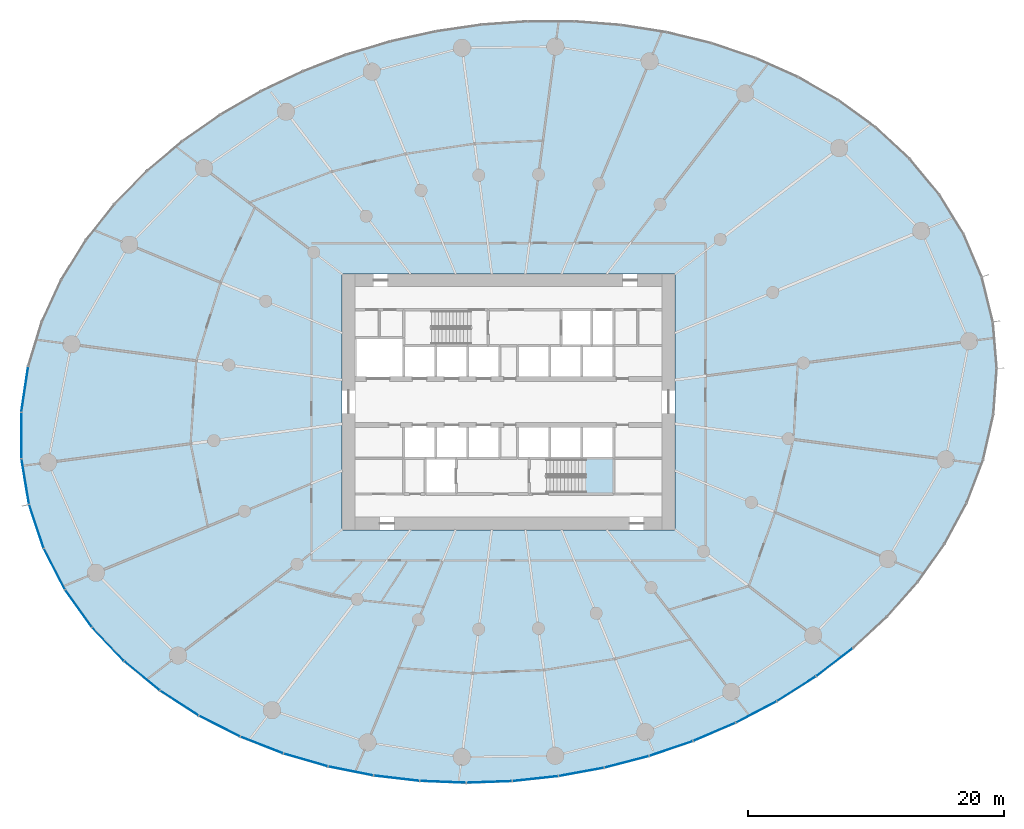
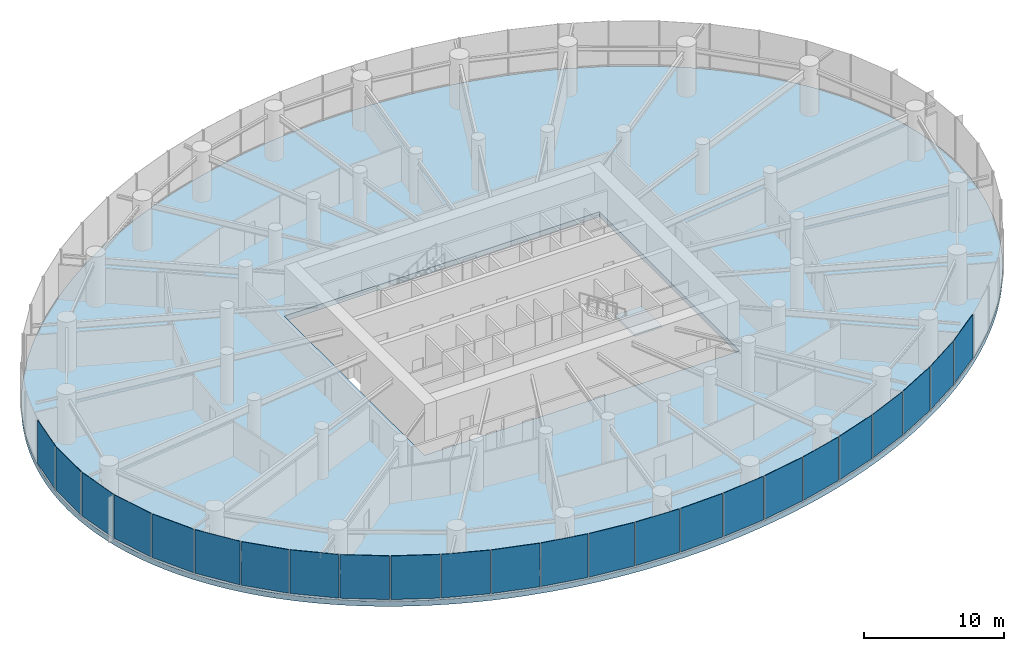
# One storey, part 10 of 19: 24 plates, 2 slabs, 6 elements without a shape of their own.
"""IFC4 building model written with IfcOpenShell, lengths in metres."""

import ifcopenshell
import ifcopenshell.guid

model = None  # the IFC model being written
_history = None  # IfcOwnerHistory: only IFC2X3 demands one
_inside = {}  # id of a spatial element -> (the spatial element, [elements in it])
_under = {}  # id of a project, library or spatial element -> (it, [spatial elements below it])
_declared = {}  # id of a project -> (the project, [libraries it declares])
_typed = {}  # id of a type object -> (the type object, [elements of that type])
_made_of = {}  # id of a material, layer set ... -> (it, [elements and type objects made of it])


def new_model(schema):
    """Start an empty IFC model of exactly this schema.

    Asked for "IFC4X3", IfcOpenShell would pick the latest addendum, in which some entities
    have other attributes; the version numbers below select the first issue.
    IFC2X3 requires an IfcOwnerHistory on every rooted entity: one is made here for all.
    """
    global model, _history
    if schema == "IFC4X3":
        model = ifcopenshell.file(schema_version=(4, 3, 0, 0))
    else:
        model = ifcopenshell.file(schema=schema)
    _inside.clear()
    _under.clear()
    _declared.clear()
    _typed.clear()
    _made_of.clear()
    _history = None
    if model.schema == "IFC2X3":
        org = make("IfcOrganization", Name="unknown")
        user = make(
            "IfcPersonAndOrganization",
            ThePerson=make("IfcPerson", FamilyName="unknown"),
            TheOrganization=org,
        )
        app = make(
            "IfcApplication",
            ApplicationDeveloper=org,
            Version="unknown",
            ApplicationFullName="unknown",
            ApplicationIdentifier="unknown",
        )
        _history = make(
            "IfcOwnerHistory",
            OwningUser=user,
            OwningApplication=app,
            ChangeAction="ADDED",
            CreationDate=0,
        )
    return model


def make(cls, **values):
    """One entity of the class cls with the attributes given. An attribute that is None is left unset."""
    return model.create_entity(
        cls, **{name: value for name, value in values.items() if value is not None}
    )


def rooted(cls, **values):
    """An entity with a GlobalId (a new one), such as an element, a storey or a relation."""
    return make(cls, GlobalId=ifcopenshell.guid.new(), OwnerHistory=_history, **values)


def si_unit(unit_type, name, prefix=None):
    """IfcSIUnit, for example si_unit("LENGTHUNIT", "METRE", prefix="MILLI")."""
    return make("IfcSIUnit", UnitType=unit_type, Prefix=prefix, Name=name)


def assignment(units):
    """IfcUnitAssignment: the units of a project."""
    return None if units is None else make("IfcUnitAssignment", Units=units)


def point(xyz):
    """IfcCartesianPoint."""
    return None if xyz is None else make("IfcCartesianPoint", Coordinates=xyz)


def direction(xyz):
    """IfcDirection."""
    return None if xyz is None else make("IfcDirection", DirectionRatios=xyz)


def frame(location, z_axis=None, x_axis=None):
    """IfcAxis2Placement3D, a coordinate frame: its origin and axes. An axis left out is left unset."""
    return make(
        "IfcAxis2Placement3D",
        Location=point(location),
        Axis=direction(z_axis),
        RefDirection=direction(x_axis),
    )


def frame_2d(location, x_axis=None):
    """IfcAxis2Placement2D, a coordinate frame in the plane: its origin and x axis."""
    return make(
        "IfcAxis2Placement2D", Location=point(location), RefDirection=direction(x_axis)
    )


def origin():
    """The frame at (0, 0, 0) with its axes left unset."""
    return frame((0.0, 0.0, 0.0))


def origin_2d():
    """The frame at (0, 0) in the plane with its x axis left unset."""
    return frame_2d((0.0, 0.0))


def place(relative_to, where):
    """IfcLocalPlacement: puts the frame where relative to a parent placement (None: the world)."""
    return make(
        "IfcLocalPlacement", PlacementRelTo=relative_to, RelativePlacement=where
    )


def context(
    kind, dimensions, precision=None, world=None, true_north=None, identifier=None
):
    """IfcGeometricRepresentationContext, for example the 3D "Model" context."""
    return make(
        "IfcGeometricRepresentationContext",
        ContextIdentifier=identifier,
        ContextType=kind,
        CoordinateSpaceDimension=dimensions,
        Precision=precision,
        WorldCoordinateSystem=world,
        TrueNorth=true_north,
    )


def subcontext(parent, identifier, kind, view, scale=None):
    """IfcGeometricRepresentationSubContext, for example "Body" below "Model"."""
    return make(
        "IfcGeometricRepresentationSubContext",
        ContextIdentifier=identifier,
        ContextType=kind,
        ParentContext=parent,
        TargetScale=scale,
        TargetView=view,
    )


def project(units=None, contexts=None):
    """IfcProject with its units and contexts."""
    return rooted(
        "IfcProject",
        Name="project",
        RepresentationContexts=contexts,
        UnitsInContext=assignment(units),
    )


def spatial(cls, under=None, at=None, **own):
    """A site, building, storey or space (cls), placed at a placement, below another one or the project."""
    s = rooted(cls, ObjectPlacement=at, **own)
    if under is not None:
        _under.setdefault(under.id(), (under, []))[1].append(s)
    return s


def point_list(points):
    """IfcCartesianPointList2D or 3D."""
    cls = (
        "IfcCartesianPointList2D" if len(points[0]) == 2 else "IfcCartesianPointList3D"
    )
    return make(cls, CoordList=points)


def line(*indices):
    """IfcLineIndex: a straight run through numbered points of an indexed curve."""
    return model.create_entity("IfcLineIndex", indices)


def indexed_curve(points, segments=None, self_intersect=None):
    """IfcIndexedPolyCurve: lines and arcs through numbered points (the first is 1)."""
    return make(
        "IfcIndexedPolyCurve",
        Points=point_list(points),
        Segments=segments,
        SelfIntersect=self_intersect,
    )


def profile(cls, at=None, kind="AREA", **sizes):
    """A parametric profile (cls). Its sizes go by their IFC names, for example OverallWidth=200.0."""
    return make(cls, ProfileType=kind, Position=at, **sizes)


def rectangle(**sizes):
    """IfcRectangleProfileDef."""
    return profile("IfcRectangleProfileDef", **sizes)


def outline(outer, holes=None, kind="AREA"):
    """IfcArbitraryClosedProfileDef: a profile drawn as a closed curve; with holes, ...WithVoids."""
    if holes is None:
        return make("IfcArbitraryClosedProfileDef", ProfileType=kind, OuterCurve=outer)
    return make(
        "IfcArbitraryProfileDefWithVoids",
        ProfileType=kind,
        OuterCurve=outer,
        InnerCurves=holes,
    )


def extrude(swept, where, along, depth):
    """IfcExtrudedAreaSolid: the profile swept, set in the frame where, extruded along a direction by depth."""
    return make(
        "IfcExtrudedAreaSolid",
        SweptArea=swept,
        Position=where,
        ExtrudedDirection=direction(along),
        Depth=depth,
    )


def shape(context_of_items, identifier, shape_type, items):
    """IfcShapeRepresentation: the items that make up one representation, for example the "Body"."""
    return make(
        "IfcShapeRepresentation",
        ContextOfItems=context_of_items,
        RepresentationIdentifier=identifier,
        RepresentationType=shape_type,
        Items=items,
    )


def source(mapping_origin, context_of_items, identifier, shape_type, items):
    """IfcRepresentationMap: a shape defined once, which mapped items show again and again."""
    return make(
        "IfcRepresentationMap",
        MappingOrigin=mapping_origin,
        MappedRepresentation=shape(context_of_items, identifier, shape_type, items),
    )


def transform(
    local_origin,
    x_axis=None,
    y_axis=None,
    z_axis=None,
    scale=None,
    scale2=None,
    scale3=None,
    uniform=True,
):
    """IfcCartesianTransformationOperator3D, or its non-uniform kind. x_axis, y_axis, z_axis: its Axis1, 2, 3."""
    if uniform:
        return make(
            "IfcCartesianTransformationOperator3D",
            Axis1=direction(x_axis),
            Axis2=direction(y_axis),
            LocalOrigin=point(local_origin),
            Scale=scale,
            Axis3=direction(z_axis),
        )
    return make(
        "IfcCartesianTransformationOperator3DnonUniform",
        Axis1=direction(x_axis),
        Axis2=direction(y_axis),
        LocalOrigin=point(local_origin),
        Scale=scale,
        Axis3=direction(z_axis),
        Scale2=scale2,
        Scale3=scale3,
    )


def mapped(mapping_source, mapping_target):
    """IfcMappedItem: shows the shape of a source again, moved by a transform."""
    return make(
        "IfcMappedItem", MappingSource=mapping_source, MappingTarget=mapping_target
    )


def material(Name=None, Category=None):
    """IfcMaterial."""
    return make("IfcMaterial", Name=Name, Category=Category)


def layer(
    of_material, thickness, ventilated=None, Name=None, Category=None, Priority=None
):
    """IfcMaterialLayer: one layer of a wall or slab, of a material (None: an air gap)."""
    return make(
        "IfcMaterialLayer",
        Material=of_material,
        LayerThickness=thickness,
        IsVentilated=ventilated,
        Name=Name,
        Category=Category,
        Priority=Priority,
    )


def layer_set(layers, Name=None):
    """IfcMaterialLayerSet."""
    return make("IfcMaterialLayerSet", MaterialLayers=layers, LayerSetName=Name)


def made_of(thing, what):
    """Note that an element or type object is made of a material, layer set ...; save() writes the relation."""
    if what is not None:
        _made_of.setdefault(what.id(), (what, []))[1].append(thing)
    return thing


def type_object(cls, material=None, **own):
    """A type object (cls), such as IfcWallType, which elements share."""
    return made_of(rooted(cls, **own), material)


def element(
    cls,
    number,
    at=None,
    inside=None,
    cuts=None,
    type_object=None,
    material=None,
    context=None,
    identifier="Body",
    shape_type=None,
    held_by="IfcProductDefinitionShape",
    body=None,
    shapes=None,
    **own,
):
    """One element of the class cls, such as IfcWall. Its Tag is "e" and its number.

    at: its placement. inside: the storey or other place that contains it. cuts: it is an
    opening in that element (IfcRelVoidsElement). A single representation is given by context,
    identifier, shape_type and body (its items); several are given by shapes. held_by: the class
    of the entity that holds the representations. save() writes the other relations.
    """
    e = rooted(cls, Tag="e%d" % number, ObjectPlacement=at, **own)
    if body is not None:
        shapes = [shape(context, identifier, shape_type, body)]
    if shapes is not None:
        e.Representation = make(held_by, Representations=shapes)
    if inside is not None:
        _inside.setdefault(inside.id(), (inside, []))[1].append(e)
    if cuts is not None:
        rooted(
            "IfcRelVoidsElement", RelatingBuildingElement=cuts, RelatedOpeningElement=e
        )
    if type_object is not None:
        _typed.setdefault(type_object.id(), (type_object, []))[1].append(e)
    return made_of(e, material)


def aggregate(whole, parts):
    """IfcRelAggregates: a whole, such as a stair, and the parts it consists of."""
    return rooted("IfcRelAggregates", RelatingObject=whole, RelatedObjects=parts)


def save(model, path):
    """Write the relations noted so far, then the file.

    IfcRelAggregates (storeys below a building ...), IfcRelContainedInSpatialStructure (elements
    in a storey), IfcRelDefinesByType, IfcRelAssociatesMaterial and IfcRelDeclares: one each for
    every whole, place, type object, material and project.
    """
    for whole, parts in _under.values():
        aggregate(whole, parts)
    for where, things in _inside.values():
        rooted(
            "IfcRelContainedInSpatialStructure",
            RelatedElements=things,
            RelatingStructure=where,
        )
    for kind, things in _typed.values():
        rooted("IfcRelDefinesByType", RelatedObjects=things, RelatingType=kind)
    for what, things in _made_of.values():
        rooted("IfcRelAssociatesMaterial", RelatedObjects=things, RelatingMaterial=what)
    for by, libraries in _declared.values():
        rooted("IfcRelDeclares", RelatingContext=by, RelatedDefinitions=libraries)
    model.write(path)


model = new_model("IFC4")

# Units and contexts
model_context = context("Model", 3, precision=1e-05, world=origin(), true_north=direction((0.0, 1.0)))
body_context = subcontext(model_context, "Body", "Model", "MODEL_VIEW")
ifc_project = project(units=[si_unit("LENGTHUNIT", "METRE"), si_unit("AREAUNIT", "SQUARE_METRE"), si_unit("VOLUMEUNIT", "CUBIC_METRE"), si_unit("PLANEANGLEUNIT", "RADIAN"), si_unit("MASSUNIT", "GRAM", prefix="KILO")], contexts=[model_context])

# Site, building, storey
site_placement = place(None, origin())
site = spatial("IfcSite", under=ifc_project, at=site_placement, CompositionType="ELEMENT")
building_placement = place(site_placement, origin())
building = spatial("IfcBuilding", under=site, at=building_placement, Name="Spindrift Exchange Tower", CompositionType="ELEMENT")
storey_placement = place(building_placement, frame((0.0, 0.0, 53.39990234375)))
storey = spatial("IfcBuildingStorey", under=building, at=storey_placement, Name="L12", CompositionType="ELEMENT", Elevation=53.39990234375)

# Slab
ifc_material_1 = material(Name="Concrete 50 MPa", Category="concrete")
ifc_layer_1 = layer(ifc_material_1, 0.449951171875)
ifc_layer_set_1 = layer_set([ifc_layer_1], Name="RC Floor Slab 450 Concrete 50 MPa")
slab_type_1 = type_object("IfcSlabType", Name="RC Floor Slab 450 Concrete 50 MPa", PredefinedType="FLOOR", material=ifc_layer_set_1)
slab_1_placement = place(storey_placement, frame((0.0, 0.0, -0.449951171875)))
element("IfcSlab", 1, at=slab_1_placement, inside=storey, type_object=slab_type_1, Name="Floor slab L12", PredefinedType="FLOOR", context=body_context, shape_type="SweptSolid", body=[
    extrude(outline(indexed_curve([(89.839111328125, 54.239501953125), (89.734619140625, 54.82470703125), (89.614990234375, 55.4072265625), (89.47998046875, 55.986328125), (89.330078125, 56.561767578125), (89.1650390625, 57.133056640625), (88.985595703125, 57.69970703125), (88.791259765625, 58.26171875), (88.582763671875, 58.818603515625), (88.35986328125, 59.3701171875), (88.123291015625, 59.91552734375), (87.873046875, 60.454833984375), (87.609375, 60.98779296875), (87.33251953125, 61.513916015625), (87.04296875, 62.033447265625), (86.740966796875, 62.54541015625), (86.426513671875, 63.05029296875), (86.100341796875, 63.54736328125), (85.7626953125, 64.036865234375), (85.41357421875, 64.518310546875), (85.0537109375, 64.991455078125), (84.68310546875, 65.456298828125), (84.302001953125, 65.9130859375), (83.911376953125, 66.361083984375), (83.5107421875, 66.800537109375), (83.100830078125, 67.2314453125), (82.68212890625, 67.653564453125), (82.25439453125, 68.066650390625), (81.818603515625, 68.47119140625), (81.37451171875, 68.866455078125), (80.922607421875, 69.2529296875), (80.463134765625, 69.63037109375), (79.99658203125, 69.9990234375), (79.52294921875, 70.3583984375), (79.04248046875, 70.708984375), (78.555908203125, 71.050537109375), (78.06298828125, 71.383056640625), (77.56396484375, 71.70654296875), (77.0595703125, 72.021240234375), (76.549560546875, 72.326904296875), (76.0341796875, 72.623779296875), (75.513916015625, 72.911865234375), (74.989013671875, 73.191162109375), (73.925537109375, 73.72314453125), (73.387451171875, 73.976318359375), (72.29931640625, 74.456298828125), (71.75, 74.683349609375), (70.640869140625, 75.1123046875), (69.519287109375, 75.5078125), (68.9541015625, 75.69287109375), (68.386474609375, 75.86962890625), (67.24365234375, 76.198974609375), (66.6689453125, 76.351318359375), (65.513427734375, 76.632080078125), (64.932861328125, 76.760498046875), (63.7666015625, 76.99365234375), (63.181396484375, 77.098388671875), (62.0068359375, 77.284912109375), (61.417724609375, 77.366455078125), (60.23681640625, 77.506591796875), (59.645263671875, 77.565185546875), (58.459716796875, 77.660400390625), (57.8662109375, 77.696533203125), (56.677978515625, 77.74658203125), (56.08349609375, 77.7607421875), (54.894287109375, 77.76708984375), (54.2998046875, 77.759033203125), (53.111083984375, 77.7216796875), (52.517333984375, 77.6923828125), (51.330810546875, 77.61181640625), (50.146484375, 77.5029296875), (49.5556640625, 77.437744140625), (48.3759765625, 77.286376953125), (47.200439453125, 77.10693359375), (46.029296875, 76.8994140625), (45.44580078125, 76.785400390625), (44.283203125, 76.535888671875), (43.126708984375, 76.259033203125), (42.55078125, 76.110107421875), (41.4052734375, 75.79150390625), (40.267578125, 75.4453125), (39.701904296875, 75.26171875), (38.57763671875, 74.874267578125), (38.01904296875, 74.669921875), (37.463134765625, 74.458984375), (36.359619140625, 74.01611328125), (35.267333984375, 73.545654296875), (34.725830078125, 73.300048828125), (33.65234375, 72.7880859375), (33.120849609375, 72.521484375), (32.068359375, 71.968017578125), (31.547607421875, 71.680908203125), (30.51806640625, 71.085693359375), (30.009521484375, 70.77783203125), (29.005126953125, 70.140869140625), (28.509765625, 69.81201171875), (27.533203125, 69.13330078125), (27.052490234375, 68.783447265625), (26.106201171875, 68.06298828125), (25.641357421875, 67.692138671875), (24.728759765625, 66.929931640625), (24.28125, 66.538330078125), (23.83984375, 66.139892578125), (22.9765625, 65.322021484375), (22.14013671875, 64.4765625), (21.732666015625, 64.043701171875), (21.33251953125, 63.60400390625), (20.939697265625, 63.1572265625), (20.554931640625, 62.7041015625), (20.177978515625, 62.243896484375), (19.8095703125, 61.77734375), (19.449462890625, 61.30419921875), (19.09814453125, 60.824462890625), (18.755859375, 60.33837890625), (18.422607421875, 59.845703125), (18.09912109375, 59.346923828125), (17.78515625, 58.841796875), (17.481201171875, 58.330810546875), (17.187744140625, 57.813720703125), (16.904541015625, 57.291015625), (16.63232421875, 56.76220703125), (16.37109375, 56.22802734375), (16.121337890625, 55.6884765625), (15.883056640625, 55.143798828125), (15.65673828125, 54.59375), (15.442626953125, 54.0390625), (15.240966796875, 53.479736328125), (15.052001953125, 52.916015625), (14.8759765625, 52.347900390625), (14.71337890625, 51.776123046875), (14.56396484375, 51.200439453125), (14.42822265625, 50.62158203125), (14.306640625, 50.03955078125), (14.19921875, 49.45458984375), (14.10595703125, 48.867431640625), (14.02734375, 48.278076171875), (13.96337890625, 47.68701171875), (13.91455078125, 47.09423828125), (13.880615234375, 46.500732421875), (13.86181640625, 45.906494140625), (13.8583984375, 45.311767578125), (13.8701171875, 44.71728515625), (13.8974609375, 44.123291015625), (13.940185546875, 43.5302734375), (13.998291015625, 42.9384765625), (14.072021484375, 42.348388671875), (14.160888671875, 41.760498046875), (14.265380859375, 41.17529296875), (14.385009765625, 40.5927734375), (14.52001953125, 40.013671875), (14.669921875, 39.438232421875), (14.8349609375, 38.866943359375), (15.014404296875, 38.30029296875), (15.208740234375, 37.73828125), (15.417236328125, 37.181396484375), (15.64013671875, 36.6298828125), (15.876708984375, 36.08447265625), (16.126953125, 35.545166015625), (16.390625, 35.01220703125), (16.66748046875, 34.486083984375), (16.95703125, 33.966552734375), (17.259033203125, 33.45458984375), (17.573486328125, 32.94970703125), (17.899658203125, 32.45263671875), (18.2373046875, 31.963134765625), (18.58642578125, 31.481689453125), (18.9462890625, 31.008544921875), (19.31689453125, 30.543701171875), (19.697998046875, 30.0869140625), (20.088623046875, 29.638916015625), (20.4892578125, 29.199462890625), (20.899169921875, 28.7685546875), (21.31787109375, 28.346435546875), (21.74560546875, 27.933349609375), (22.181396484375, 27.52880859375), (22.62548828125, 27.133544921875), (23.077392578125, 26.7470703125), (23.536865234375, 26.36962890625), (24.00341796875, 26.0009765625), (24.47705078125, 25.6416015625), (24.95751953125, 25.291015625), (25.444091796875, 24.949462890625), (25.93701171875, 24.616943359375), (26.43603515625, 24.29345703125), (26.9404296875, 23.978759765625), (27.450439453125, 23.673095703125), (27.9658203125, 23.376220703125), (28.486083984375, 23.088134765625), (29.010986328125, 22.808837890625), (30.074462890625, 22.27685546875), (30.612548828125, 22.023681640625), (31.70068359375, 21.543701171875), (32.25, 21.316650390625), (33.359130859375, 20.8876953125), (34.480712890625, 20.4921875), (35.0458984375, 20.30712890625), (35.613525390625, 20.13037109375), (36.75634765625, 19.801025390625), (37.3310546875, 19.648681640625), (38.486572265625, 19.367919921875), (39.067138671875, 19.239501953125), (40.2333984375, 19.00634765625), (40.818603515625, 18.901611328125), (41.9931640625, 18.715087890625), (42.582275390625, 18.633544921875), (43.76318359375, 18.493408203125), (44.354736328125, 18.434814453125), (45.540283203125, 18.339599609375), (46.1337890625, 18.303466796875), (47.322021484375, 18.25341796875), (47.91650390625, 18.2392578125), (49.105712890625, 18.23291015625), (49.7001953125, 18.240966796875), (50.888916015625, 18.2783203125), (51.482666015625, 18.3076171875), (52.669189453125, 18.38818359375), (53.853515625, 18.4970703125), (54.4443359375, 18.562255859375), (55.6240234375, 18.713623046875), (56.799560546875, 18.89306640625), (57.970703125, 19.1005859375), (58.55419921875, 19.214599609375), (59.716796875, 19.464111328125), (60.873291015625, 19.740966796875), (61.44921875, 19.889892578125), (62.5947265625, 20.20849609375), (63.732421875, 20.5546875), (64.298095703125, 20.73828125), (65.42236328125, 21.125732421875), (65.98095703125, 21.330078125), (67.090087890625, 21.759033203125), (67.640380859375, 21.98388671875), (68.732666015625, 22.454345703125), (69.274169921875, 22.699951171875), (70.34765625, 23.2119140625), (70.879150390625, 23.478515625), (71.931640625, 24.031982421875), (72.452392578125, 24.319091796875), (73.48193359375, 24.914306640625), (73.990478515625, 25.22216796875), (74.994873046875, 25.859130859375), (75.490234375, 26.18798828125), (76.466796875, 26.86669921875), (76.947509765625, 27.216552734375), (77.893798828125, 27.93701171875), (78.358642578125, 28.307861328125), (79.271240234375, 29.070068359375), (79.71875, 29.461669921875), (80.16015625, 29.860107421875), (81.0234375, 30.677978515625), (81.85986328125, 31.5234375), (82.267333984375, 31.956298828125), (82.66748046875, 32.39599609375), (83.060302734375, 32.8427734375), (83.445068359375, 33.2958984375), (83.822021484375, 33.756103515625), (84.1904296875, 34.22265625), (84.550537109375, 34.69580078125), (84.90185546875, 35.175537109375), (85.244140625, 35.66162109375), (85.577392578125, 36.154296875), (85.90087890625, 36.653076171875), (86.21484375, 37.158203125), (86.518798828125, 37.669189453125), (86.812255859375, 38.186279296875), (87.095458984375, 38.708984375), (87.36767578125, 39.23779296875), (87.62890625, 39.77197265625), (87.878662109375, 40.3115234375), (88.116943359375, 40.856201171875), (88.34326171875, 41.40625), (88.557373046875, 41.9609375), (88.759033203125, 42.520263671875), (88.947998046875, 43.083984375), (89.1240234375, 43.652099609375), (89.28662109375, 44.223876953125), (89.43603515625, 44.799560546875), (89.57177734375, 45.37841796875), (89.693359375, 45.96044921875), (89.80078125, 46.54541015625), (89.89404296875, 47.132568359375), (89.97265625, 47.721923828125), (90.03662109375, 48.31298828125), (90.08544921875, 48.90576171875), (90.119384765625, 49.499267578125), (90.13818359375, 50.093505859375), (90.1416015625, 50.688232421875), (90.1298828125, 51.28271484375), (90.1025390625, 51.876708984375), (90.059814453125, 52.4697265625), (90.001708984375, 53.0615234375), (89.927978515625, 53.651611328125)], segments=[line(1, 2, 3, 4, 5, 6, 7, 8, 9, 10, 11, 12, 13, 14, 15, 16, 17, 18, 19, 20, 21, 22, 23, 24, 25, 26, 27, 28, 29, 30, 31, 32, 33, 34, 35, 36, 37, 38, 39, 40, 41, 42, 43, 44, 45, 46, 47, 48, 49, 50, 51, 52, 53, 54, 55, 56, 57, 58, 59, 60, 61, 62, 63, 64, 65, 66, 67, 68, 69, 70, 71, 72, 73, 74, 75, 76, 77, 78, 79, 80, 81, 82, 83, 84, 85, 86, 87, 88, 89, 90, 91, 92, 93, 94, 95, 96, 97, 98, 99, 100, 101, 102, 103, 104, 105, 106, 107, 108, 109, 110, 111, 112, 113, 114, 115, 116, 117, 118, 119, 120, 121, 122, 123, 124, 125, 126, 127, 128, 129, 130, 131, 132, 133, 134, 135, 136, 137, 138, 139, 140, 141, 142, 143, 144, 145, 146, 147, 148, 149, 150, 151, 152, 153, 154, 155, 156, 157, 158, 159, 160, 161, 162, 163, 164, 165, 166, 167, 168, 169, 170, 171, 172, 173, 174, 175, 176, 177, 178, 179, 180, 181, 182, 183, 184, 185, 186, 187, 188, 189, 190, 191, 192, 193, 194, 195, 196, 197, 198, 199, 200, 201, 202, 203, 204, 205, 206, 207, 208, 209, 210, 211, 212, 213, 214, 215, 216, 217, 218, 219, 220, 221, 222, 223, 224, 225, 226, 227, 228, 229, 230, 231, 232, 233, 234, 235, 236, 237, 238, 239, 240, 241, 242, 243, 244, 245, 246, 247, 248, 249, 250, 251, 252, 253, 254, 255, 256, 257, 258, 259, 260, 261, 262, 263, 264, 265, 266, 267, 268, 269, 270, 271, 272, 273, 274, 275, 276, 277, 278, 279, 280, 281, 282, 283, 284, 285, 286, 287, 288, 289, 290, 291, 292, 1)], self_intersect=False), holes=[indexed_curve([(39.0, 38.0), (65.0, 38.0), (65.0, 58.0), (39.0, 58.0)], segments=[line(1, 2, 3, 4, 1)], self_intersect=False)]), origin(), (0.0, 0.0, 1.0), 0.449951171875),
])

# Stair, slab
stair_type = type_object("IfcStairType", Name="ST-1250-R183", PredefinedType="HALF_TURN_STAIR", material=ifc_material_1)
stair_placement = place(storey_placement, origin())
stair = element("IfcStair", 2, at=stair_placement, inside=storey, type_object=stair_type, Name="L12 Exit stair ST2", PredefinedType="HALF_TURN_STAIR")
ifc_layer_2 = layer(ifc_material_1, 0.199951171875)
ifc_layer_set_2 = layer_set([ifc_layer_2], Name="SL-LANDING")
slab_type_2 = type_object("IfcSlabType", Name="SL-LANDING", PredefinedType="LANDING", material=ifc_layer_set_2)
slab_2_placement = place(storey_placement, frame((0.0, 0.0, 2.0)))
slab_2 = element("IfcSlab", 3, at=slab_2_placement, type_object=slab_type_2, Name="ST2 landing 1", PredefinedType="LANDING", context=body_context, shape_type="SweptSolid", body=[
    extrude(outline(indexed_curve([(57.949951171875, 43.60009765625), (60.199951171875, 43.60009765625), (60.199951171875, 40.800048828125), (57.949951171875, 40.800048828125)], segments=[line(1, 2, 3, 4, 1)], self_intersect=False)), origin(), (0.0, 0.0, 1.0), 0.2001953125),
])
aggregate(stair, [slab_2])

# Curtain wall, plate
ifc_material_2 = material(Name="Fritted laminated glass with bronze frame", Category="glass")
ifc_layer_3 = layer(ifc_material_2, 0.199951171875)
ifc_layer_set_3 = layer_set([ifc_layer_3], Name="ZONE 1 BRONZE FRITTED WALL")
curtain_wall_type = type_object("IfcCurtainWallType", Name="ZONE 1 BRONZE FRITTED WALL", PredefinedType="NOTDEFINED", material=ifc_layer_set_3)
curtain_wall_1_placement = place(storey_placement, origin())
curtain_wall_1 = element("IfcCurtainWall", 4, at=curtain_wall_1_placement, inside=storey, type_object=curtain_wall_type, Name="L12 Zone 1 Bronze Fritted Wall run 6", PredefinedType="NOTDEFINED")
ifc_material_3 = material(Name="Bronze fritted laminated glass, dense frit", Category="glass")
ifc_layer_4 = layer(ifc_material_3, 0.035888671875)
ifc_layer_set_4 = layer_set([ifc_layer_4], Name="ZONE 1 BRONZE FRITTED WALL PANEL DENSE FRIT 180")
plate_type_1 = type_object("IfcPlateType", Name="ZONE 1 BRONZE FRITTED WALL PANEL DENSE FRIT 180", PredefinedType="CURTAIN_PANEL", material=ifc_layer_set_4)
shared_shape_1 = source(origin(), body_context, "Body", "SweptSolid", [
    extrude(rectangle(XDim=3.5458984375, YDim=0.035888671875, at=origin_2d()), origin(), (0.0, 0.0, 1.0), 3.800048828125),
])
plate_1_placement = place(storey_placement, frame((23.344482421875, 26.595703125, 0.14990234375), z_axis=(0.0, 0.0, 1.0), x_axis=(0.772472063913, -0.635048746533, 0.0)))
plate_1 = element("IfcPlate", 5, at=plate_1_placement, type_object=plate_type_1, Name="L12 panel CW-1.35", PredefinedType="CURTAIN_PANEL", context=body_context, shape_type="MappedRepresentation", body=[
    mapped(shared_shape_1, transform((0.0, 0.0, 0.0), scale=1.0)),
])

curtain_wall_2_placement = place(storey_placement, origin())
curtain_wall_2 = element("IfcCurtainWall", 6, at=curtain_wall_2_placement, inside=storey, type_object=curtain_wall_type, Name="L12 Zone 1 Bronze Fritted Wall run 9", PredefinedType="NOTDEFINED")
ifc_layer_5 = layer(ifc_material_3, 0.035888671875)
ifc_layer_set_5 = layer_set([ifc_layer_5], Name="ZONE 1 BRONZE FRITTED WALL PANEL DENSE FRIT 420")
plate_type_2 = type_object("IfcPlateType", Name="ZONE 1 BRONZE FRITTED WALL PANEL DENSE FRIT 420", PredefinedType="CURTAIN_PANEL", material=ifc_layer_set_5)
shared_shape_2 = source(origin(), body_context, "Body", "SweptSolid", [
    extrude(rectangle(XDim=3.547119140625, YDim=0.035888671875, at=origin_2d()), origin(), (0.0, 0.0, 1.0), 3.800048828125),
])
plate_2_placement = place(storey_placement, frame((77.46240234375, 27.65478515625, 0.14990234375), z_axis=(0.0, 0.0, 1.0), x_axis=(0.794189831146, 0.607669739335, 0.0)))
plate_2 = element("IfcPlate", 7, at=plate_2_placement, type_object=plate_type_2, Name="L12 panel CW-1.51", PredefinedType="CURTAIN_PANEL", context=body_context, shape_type="MappedRepresentation", body=[
    mapped(shared_shape_2, transform((0.0, 0.0, 0.0), scale=1.0)),
])

curtain_wall_3_placement = place(storey_placement, origin())
curtain_wall_3 = element("IfcCurtainWall", 8, at=curtain_wall_3_placement, inside=storey, type_object=curtain_wall_type, Name="L12 Zone 1 Bronze Fritted Wall run 7", PredefinedType="NOTDEFINED")
ifc_layer_6 = layer(ifc_material_3, 0.035888671875)
ifc_layer_set_6 = layer_set([ifc_layer_6], Name="ZONE 1 BRONZE FRITTED WALL PANEL DENSE FRIT 300")
plate_type_3 = type_object("IfcPlateType", Name="ZONE 1 BRONZE FRITTED WALL PANEL DENSE FRIT 300", PredefinedType="CURTAIN_PANEL", material=ifc_layer_set_6)
shared_shape_3 = source(origin(), body_context, "Body", "SweptSolid", [
    extrude(rectangle(XDim=3.547119140625, YDim=0.035888671875, at=origin_2d()), origin(), (0.0, 0.0, 1.0), 3.800048828125),
])
plate_3_placement = place(storey_placement, frame((39.666748046875, 19.153564453125, 0.14990234375), z_axis=(0.0, 0.0, 1.0), x_axis=(0.980610212417, -0.195968393633, 0.0)))
plate_3 = element("IfcPlate", 9, at=plate_3_placement, type_object=plate_type_3, Name="L12 panel CW-1.40", PredefinedType="CURTAIN_PANEL", context=body_context, shape_type="MappedRepresentation", body=[
    mapped(shared_shape_3, transform((0.0, 0.0, 0.0), scale=1.0)),
])

# Curtain wall, plates
curtain_wall_4_placement = place(storey_placement, origin())
curtain_wall_4 = element("IfcCurtainWall", 10, at=curtain_wall_4_placement, inside=storey, type_object=curtain_wall_type, Name="L12 Zone 1 Bronze Fritted Wall run 8", PredefinedType="NOTDEFINED")
shared_shape_4 = source(origin(), body_context, "Body", "SweptSolid", [
    extrude(rectangle(XDim=3.54736328125, YDim=0.035888671875, at=origin_2d()), origin(), (0.0, 0.0, 1.0), 3.800048828125),
])
plate_4_placement = place(storey_placement, frame((61.226318359375, 19.865966796875, 0.14990234375), z_axis=(0.0, 0.0, 1.0), x_axis=(0.967740399078, 0.251949439358, 0.0)))
plate_4 = element("IfcPlate", 11, at=plate_4_placement, type_object=plate_type_3, Name="L12 panel CW-1.46", PredefinedType="CURTAIN_PANEL", context=body_context, shape_type="MappedRepresentation", body=[
    mapped(shared_shape_4, transform((0.0, 0.0, 0.0), scale=1.0)),
])
plate_5_placement = place(storey_placement, frame((68.08154296875, 22.2080078125, 0.14990234375), z_axis=(0.0, 0.0, 1.0), x_axis=(0.919223323785, 0.393736562956, 0.0)))
plate_5 = element("IfcPlate", 12, at=plate_5_placement, type_object=plate_type_3, Name="L12 panel CW-1.48", PredefinedType="CURTAIN_PANEL", context=body_context, shape_type="MappedRepresentation", body=[
    mapped(shared_shape_4, transform((0.0, 0.0, 0.0), scale=1.0)),
])

# Plate
plate_6_placement = place(storey_placement, frame((71.3544921875, 23.76513671875, 0.14990234375), z_axis=(0.0, 0.0, 1.0), x_axis=(0.885425264498, 0.464781777815, 0.0)))
plate_6 = element("IfcPlate", 13, at=plate_6_placement, type_object=plate_type_3, Name="L12 panel CW-1.49", PredefinedType="CURTAIN_PANEL", context=body_context, shape_type="MappedRepresentation", body=[
    mapped(shared_shape_4, transform((0.0, 0.0, 0.0), scale=1.0)),
])

shared_shape_5 = source(origin(), body_context, "Body", "SweptSolid", [
    extrude(rectangle(XDim=3.54736328125, YDim=0.035888671875, at=origin_2d()), origin(), (0.0, 0.0, 1.0), 3.800048828125),
])
plate_7_placement = place(storey_placement, frame((43.246337890625, 18.5869140625, 0.14990234375), z_axis=(0.0, 0.0, 1.0), x_axis=(0.993186930165, -0.11653206318, 0.0)))
plate_7 = element("IfcPlate", 14, at=plate_7_placement, type_object=plate_type_1, Name="L12 panel CW-1.41", PredefinedType="CURTAIN_PANEL", context=body_context, shape_type="MappedRepresentation", body=[
    mapped(shared_shape_5, transform((0.0, 0.0, 0.0), scale=1.0)),
])

plate_8_placement = place(storey_placement, frame((50.484619140625, 18.2958984375, 0.14990234375), z_axis=(0.0, 0.0, 1.0), x_axis=(0.999377229734, 0.035286721135, 0.0)))
plate_8 = element("IfcPlate", 15, at=plate_8_placement, type_object=plate_type_1, Name="L12 panel CW-1.43", PredefinedType="CURTAIN_PANEL", context=body_context, shape_type="MappedRepresentation", body=[
    mapped(shared_shape_5, transform((0.0, 0.0, 0.0), scale=1.0)),
])

shared_shape_6 = source(origin(), body_context, "Body", "SweptSolid", [
    extrude(rectangle(XDim=3.54736328125, YDim=0.035888671875, at=origin_2d()), origin(), (0.0, 0.0, 1.0), 3.800048828125),
])
plate_9_placement = place(storey_placement, frame((46.85986328125, 18.3037109375, 0.14990234375), z_axis=(0.0, 0.0, 1.0), x_axis=(0.999216100445, -0.039587682569, 0.0)))
plate_9 = element("IfcPlate", 16, at=plate_9_placement, type_object=plate_type_2, Name="L12 panel CW-1.42", PredefinedType="CURTAIN_PANEL", context=body_context, shape_type="MappedRepresentation", body=[
    mapped(shared_shape_6, transform((0.0, 0.0, 0.0), scale=1.0)),
])

plate_10_placement = place(storey_placement, frame((54.100341796875, 18.556884765625, 0.14990234375), z_axis=(0.0, 0.0, 1.0), x_axis=(0.994092764048, 0.108533757269, 0.0)))
plate_10 = element("IfcPlate", 17, at=plate_10_placement, type_object=plate_type_2, Name="L12 panel CW-1.44", PredefinedType="CURTAIN_PANEL", context=body_context, shape_type="MappedRepresentation", body=[
    mapped(shared_shape_6, transform((0.0, 0.0, 0.0), scale=1.0)),
])

plate_11_placement = place(storey_placement, frame((64.697998046875, 20.908447265625, 0.14990234375), z_axis=(0.0, 0.0, 1.0), x_axis=(0.946440952638, 0.322876947411, 0.0)))
plate_11 = element("IfcPlate", 18, at=plate_11_placement, type_object=plate_type_2, Name="L12 panel CW-1.47", PredefinedType="CURTAIN_PANEL", context=body_context, shape_type="MappedRepresentation", body=[
    mapped(shared_shape_6, transform((0.0, 0.0, 0.0), scale=1.0)),
])

shared_shape_7 = source(origin(), body_context, "Body", "SweptSolid", [
    extrude(rectangle(XDim=3.547119140625, YDim=0.035888671875, at=origin_2d()), origin(), (0.0, 0.0, 1.0), 3.800048828125),
])
plate_12_placement = place(storey_placement, frame((36.146240234375, 20.013671875, 0.14990234375), z_axis=(0.0, 0.0, 1.0), x_axis=(0.960519792471, -0.278211660918, 0.0)))
plate_12 = element("IfcPlate", 19, at=plate_12_placement, type_object=plate_type_1, Name="L12 panel CW-1.39", PredefinedType="CURTAIN_PANEL", context=body_context, shape_type="MappedRepresentation", body=[
    mapped(shared_shape_7, transform((0.0, 0.0, 0.0), scale=1.0)),
])

plate_13_placement = place(storey_placement, frame((74.491455078125, 25.580322265625, 0.14990234375), z_axis=(0.0, 0.0, 1.0), x_axis=(0.844138028093, 0.536125908278, 0.0)))
plate_13 = element("IfcPlate", 20, at=plate_13_placement, type_object=plate_type_1, Name="L12 panel CW-1.50", PredefinedType="CURTAIN_PANEL", context=body_context, shape_type="MappedRepresentation", body=[
    mapped(shared_shape_7, transform((0.0, 0.0, 0.0), scale=1.0)),
])

aggregate(curtain_wall_2, [plate_6, plate_13, plate_2])

shared_shape_8 = source(origin(), body_context, "Body", "SweptSolid", [
    extrude(rectangle(XDim=3.546875, YDim=0.035888671875, at=origin_2d()), origin(), (0.0, 0.0, 1.0), 3.800048828125),
])
plate_14_placement = place(storey_placement, frame((32.715087890625, 21.177490234375, 0.14990234375), z_axis=(0.0, 0.0, 1.0), x_axis=(0.931570083157, -0.363561796903, 0.0)))
plate_14 = element("IfcPlate", 21, at=plate_14_placement, type_object=plate_type_2, Name="L12 panel CW-1.38", PredefinedType="CURTAIN_PANEL", context=body_context, shape_type="MappedRepresentation", body=[
    mapped(shared_shape_8, transform((0.0, 0.0, 0.0), scale=1.0)),
])

# Curtain wall, plates
curtain_wall_5_placement = place(storey_placement, origin())
curtain_wall_5 = element("IfcCurtainWall", 22, at=curtain_wall_5_placement, inside=storey, type_object=curtain_wall_type, Name="L12 Zone 1 Bronze Fritted Wall run 5", PredefinedType="NOTDEFINED")
shared_shape_9 = source(origin(), body_context, "Body", "SweptSolid", [
    extrude(rectangle(XDim=3.54443359375, YDim=0.035888671875, at=origin_2d()), origin(), (0.0, 0.0, 1.0), 3.800048828125),
])
plate_15_placement = place(storey_placement, frame((14.232421875, 41.7724609375, 0.14990234375), z_axis=(0.0, 0.0, 1.0), x_axis=(0.162702604327, -0.986675155533, 0.0)))
plate_15 = element("IfcPlate", 23, at=plate_15_placement, type_object=plate_type_2, Name="L12 panel CW-1.30", PredefinedType="CURTAIN_PANEL", context=body_context, shape_type="MappedRepresentation", body=[
    mapped(shared_shape_9, transform((0.0, 0.0, 0.0), scale=1.0)),
])
shared_shape_10 = source(origin(), body_context, "Body", "SweptSolid", [
    extrude(rectangle(XDim=3.54443359375, YDim=0.035888671875, at=origin_2d()), origin(), (0.0, 0.0, 1.0), 3.800048828125),
])
plate_16_placement = place(storey_placement, frame((13.92919921875, 45.37255859375, 0.14990234375), z_axis=(0.0, 0.0, 1.0), x_axis=(0.004551802971, -0.999989640491, 0.0)))
plate_16 = element("IfcPlate", 24, at=plate_16_placement, type_object=plate_type_3, Name="L12 panel CW-1.29", PredefinedType="CURTAIN_PANEL", context=body_context, shape_type="MappedRepresentation", body=[
    mapped(shared_shape_10, transform((0.0, 0.0, 0.0), scale=1.0)),
])

# Plate
plate_17_placement = place(storey_placement, frame((15.101318359375, 38.265380859375, 0.14990234375), z_axis=(0.0, 0.0, 1.0), x_axis=(0.316731921176, -0.948515097459, 0.0)))
plate_17 = element("IfcPlate", 25, at=plate_17_placement, type_object=plate_type_3, Name="L12 panel CW-1.31", PredefinedType="CURTAIN_PANEL", context=body_context, shape_type="MappedRepresentation", body=[
    mapped(shared_shape_10, transform((0.0, 0.0, 0.0), scale=1.0)),
])

shared_shape_11 = source(origin(), body_context, "Body", "SweptSolid", [
    extrude(rectangle(XDim=3.544921875, YDim=0.035888671875, at=origin_2d()), origin(), (0.0, 0.0, 1.0), 3.800048828125),
])
plate_18_placement = place(storey_placement, frame((14.19140625, 48.97705078125, 0.14990234375), z_axis=(0.0, 0.0, 1.0), x_axis=(-0.149083193001, -0.988824656633, 0.0)))
plate_18 = element("IfcPlate", 26, at=plate_18_placement, type_object=plate_type_2, Name="L12 panel CW-1.28", PredefinedType="CURTAIN_PANEL", context=body_context, shape_type="MappedRepresentation", body=[
    mapped(shared_shape_11, transform((0.0, 0.0, 0.0), scale=1.0)),
])

aggregate(curtain_wall_5, [plate_18, plate_16, plate_15])

shared_shape_12 = source(origin(), body_context, "Body", "SweptSolid", [
    extrude(rectangle(XDim=3.545166015625, YDim=0.035888671875, at=origin_2d()), origin(), (0.0, 0.0, 1.0), 3.800048828125),
])
plate_19_placement = place(storey_placement, frame((18.39453125, 31.852783203125, 0.14990234375), z_axis=(0.0, 0.0, 1.0), x_axis=(0.583010997002, -0.812464262214, 0.0)))
plate_19 = element("IfcPlate", 27, at=plate_19_placement, type_object=plate_type_3, Name="L12 panel CW-1.33", PredefinedType="CURTAIN_PANEL", context=body_context, shape_type="MappedRepresentation", body=[
    mapped(shared_shape_12, transform((0.0, 0.0, 0.0), scale=1.0)),
])

shared_shape_13 = source(origin(), body_context, "Body", "SweptSolid", [
    extrude(rectangle(XDim=3.54638671875, YDim=0.035888671875, at=origin_2d()), origin(), (0.0, 0.0, 1.0), 3.800048828125),
])
plate_20_placement = place(storey_placement, frame((26.267578125, 24.460205078125, 0.14990234375), z_axis=(0.0, 0.0, 1.0), x_axis=(0.839823629342, -0.542859347897, 0.0)))
plate_20 = element("IfcPlate", 28, at=plate_20_placement, type_object=plate_type_1, Name="L12 panel CW-1.36", PredefinedType="CURTAIN_PANEL", context=body_context, shape_type="MappedRepresentation", body=[
    mapped(shared_shape_13, transform((0.0, 0.0, 0.0), scale=1.0)),
])

shared_shape_14 = source(origin(), body_context, "Body", "SweptSolid", [
    extrude(rectangle(XDim=3.546630859375, YDim=0.035888671875, at=origin_2d()), origin(), (0.0, 0.0, 1.0), 3.800048828125),
])
plate_21_placement = place(storey_placement, frame((29.408203125, 22.65625, 0.14990234375), z_axis=(0.0, 0.0, 1.0), x_axis=(0.892042978601, -0.451950577307, 0.0)))
plate_21 = element("IfcPlate", 29, at=plate_21_placement, type_object=plate_type_2, Name="L12 panel CW-1.37", PredefinedType="CURTAIN_PANEL", context=body_context, shape_type="MappedRepresentation", body=[
    mapped(shared_shape_14, transform((0.0, 0.0, 0.0), scale=1.0)),
])

aggregate(curtain_wall_3, [plate_21, plate_14, plate_12, plate_3, plate_7, plate_9])

shared_shape_15 = source(origin(), body_context, "Body", "SweptSolid", [
    extrude(rectangle(XDim=3.544921875, YDim=0.035888671875, at=origin_2d()), origin(), (0.0, 0.0, 1.0), 3.800048828125),
])
plate_22_placement = place(storey_placement, frame((16.506591796875, 34.935791015625, 0.14990234375), z_axis=(0.0, 0.0, 1.0), x_axis=(0.458675920086, -0.888603623858, 0.0)))
plate_22 = element("IfcPlate", 30, at=plate_22_placement, type_object=plate_type_3, Name="L12 panel CW-1.32", PredefinedType="CURTAIN_PANEL", context=body_context, shape_type="MappedRepresentation", body=[
    mapped(shared_shape_15, transform((0.0, 0.0, 0.0), scale=1.0)),
])

shared_shape_16 = source(origin(), body_context, "Body", "SweptSolid", [
    extrude(rectangle(XDim=3.547607421875, YDim=0.035888671875, at=origin_2d()), origin(), (0.0, 0.0, 1.0), 3.800048828125),
])
plate_23_placement = place(storey_placement, frame((57.687255859375, 19.081298828125, 0.14990234375), z_axis=(0.0, 0.0, 1.0), x_axis=(0.983547517194, 0.180649609523, 0.0)))
plate_23 = element("IfcPlate", 31, at=plate_23_placement, type_object=plate_type_2, Name="L12 panel CW-1.45", PredefinedType="CURTAIN_PANEL", context=body_context, shape_type="MappedRepresentation", body=[
    mapped(shared_shape_16, transform((0.0, 0.0, 0.0), scale=1.0)),
])

aggregate(curtain_wall_4, [plate_8, plate_10, plate_23, plate_4, plate_11, plate_5])

shared_shape_17 = source(origin(), body_context, "Body", "SweptSolid", [
    extrude(rectangle(XDim=3.545654296875, YDim=0.035888671875, at=origin_2d()), origin(), (0.0, 0.0, 1.0), 3.800048828125),
])
plate_24_placement = place(storey_placement, frame((20.69775390625, 29.063720703125, 0.14990234375), z_axis=(0.0, 0.0, 1.0), x_axis=(0.687480524946, -0.726202814523, 0.0)))
plate_24 = element("IfcPlate", 32, at=plate_24_placement, type_object=plate_type_2, Name="L12 panel CW-1.34", PredefinedType="CURTAIN_PANEL", context=body_context, shape_type="MappedRepresentation", body=[
    mapped(shared_shape_17, transform((0.0, 0.0, 0.0), scale=1.0)),
])

aggregate(curtain_wall_1, [plate_17, plate_22, plate_19, plate_24, plate_1, plate_20])

save(model, "model.ifc")
